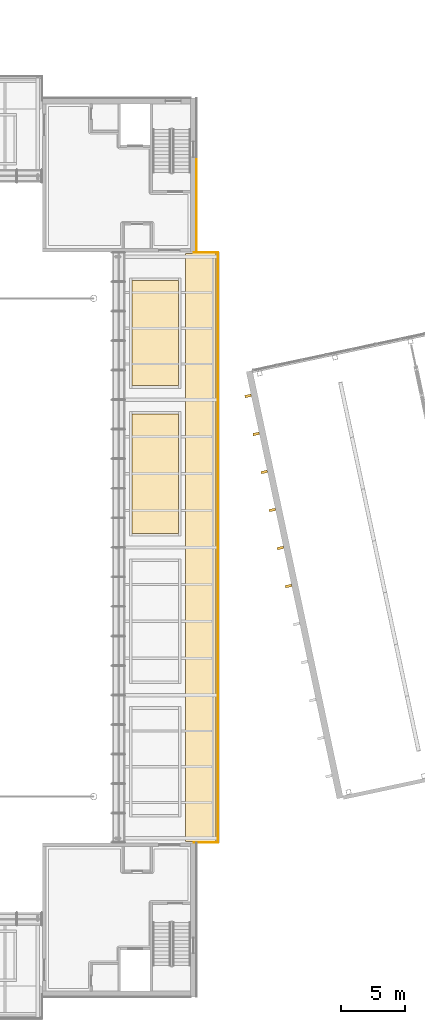
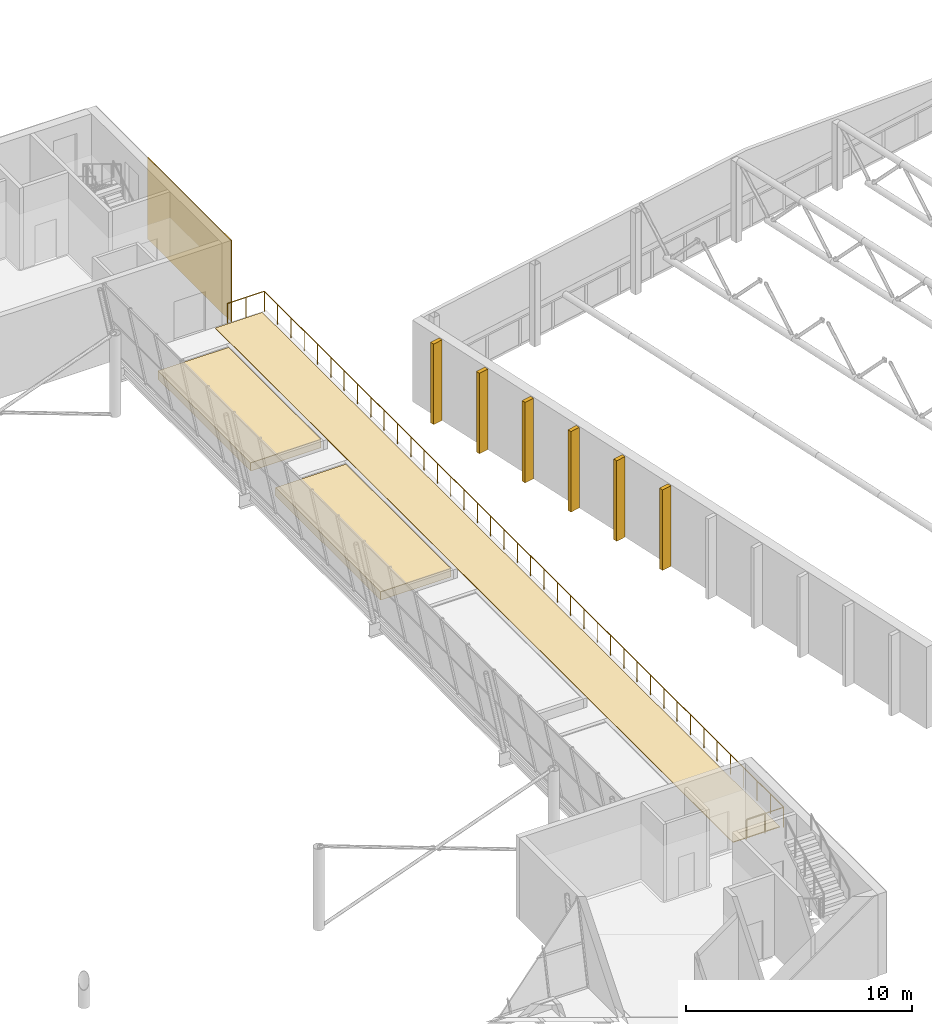
# One storey, part 51 of 58: 6 shading devices, 4 coverings, 1 railing.
"""IFC4 building model written with IfcOpenShell, lengths in metres."""

from ifc_helpers import new_model, si_unit, direction, frame, origin, origin_2d, place, context, subcontext, project, spatial, polyline, circle, outline, extrude, material, layer, layer_set, type_object, element, save


model = new_model("IFC4")

# Units and contexts
model_context = context("Model", 3, precision=1e-05, world=origin(), true_north=direction((0.0, 1.0)))
body_context = subcontext(model_context, "Body", "Model", "MODEL_VIEW")
ifc_project = project(units=[si_unit("LENGTHUNIT", "METRE"), si_unit("AREAUNIT", "SQUARE_METRE"), si_unit("VOLUMEUNIT", "CUBIC_METRE"), si_unit("PLANEANGLEUNIT", "RADIAN"), si_unit("MASSUNIT", "GRAM", prefix="KILO")], contexts=[model_context])

# Site, building, storey
site_placement = place(None, origin())
site = spatial("IfcSite", under=ifc_project, at=site_placement, CompositionType="ELEMENT")
building_placement = place(site_placement, origin())
building = spatial("IfcBuilding", under=site, at=building_placement, Name="Windward Yard Aquatics Centre", CompositionType="ELEMENT")
storey_placement = place(building_placement, frame((0.0, 0.0, 13.800048828125)))
storey = spatial("IfcBuildingStorey", under=building, at=storey_placement, Name="L03", CompositionType="ELEMENT", Elevation=13.800048828125)

# Shading devices
ifc_material_1 = material(Name="Aluminium fin, powder coated", Category="aluminium")
shading_device_type = type_object("IfcShadingDeviceType", Name="D vertical fin 200x500", PredefinedType="USERDEFINED", material=ifc_material_1)
shading_device_1_placement = place(storey_placement, origin())
element("IfcShadingDevice", 1, at=shading_device_1_placement, inside=storey, type_object=shading_device_type, Name="Vertical fin D.W.W.L03.1.6", ObjectType="FIN", PredefinedType="USERDEFINED", context=body_context, shape_type="SweptSolid", body=[
    extrude(outline(polyline([(158.9052734375, 58.04345703125), (158.947021484375, 57.847900390625), (159.43603515625, 57.951904296875), (159.394287109375, 58.1474609375), (158.9052734375, 58.04345703125)])), origin(), (0.0, 0.0, 1.0), 4.349853515625),
])
shading_device_2_placement = place(storey_placement, origin())
element("IfcShadingDevice", 2, at=shading_device_2_placement, inside=storey, type_object=shading_device_type, Name="Vertical fin D.W.W.L03.1.7", ObjectType="FIN", PredefinedType="USERDEFINED", context=body_context, shape_type="SweptSolid", body=[
    extrude(outline(polyline([(158.27587890625, 61.004638671875), (158.3173828125, 60.80908203125), (158.806396484375, 60.9130859375), (158.764892578125, 61.108642578125), (158.27587890625, 61.004638671875)])), origin(), (0.0, 0.0, 1.0), 4.349853515625),
])
shading_device_3_placement = place(storey_placement, origin())
element("IfcShadingDevice", 3, at=shading_device_3_placement, inside=storey, type_object=shading_device_type, Name="Vertical fin D.W.W.L03.1.8", ObjectType="FIN", PredefinedType="USERDEFINED", context=body_context, shape_type="SweptSolid", body=[
    extrude(outline(polyline([(157.646484375, 63.9658203125), (157.68798828125, 63.770263671875), (158.177001953125, 63.8740234375), (158.135498046875, 64.069580078125), (157.646484375, 63.9658203125)])), origin(), (0.0, 0.0, 1.0), 4.349853515625),
])
shading_device_4_placement = place(storey_placement, origin())
element("IfcShadingDevice", 4, at=shading_device_4_placement, inside=storey, type_object=shading_device_type, Name="Vertical fin D.W.W.L03.1.9", ObjectType="FIN", PredefinedType="USERDEFINED", context=body_context, shape_type="SweptSolid", body=[
    extrude(outline(polyline([(157.01708984375, 66.927001953125), (157.05859375, 66.731201171875), (157.547607421875, 66.835205078125), (157.506103515625, 67.031005859375), (157.01708984375, 66.927001953125)])), origin(), (0.0, 0.0, 1.0), 4.349853515625),
])
shading_device_5_placement = place(storey_placement, origin())
element("IfcShadingDevice", 5, at=shading_device_5_placement, inside=storey, type_object=shading_device_type, Name="Vertical fin D.W.W.L03.1.10", ObjectType="FIN", PredefinedType="USERDEFINED", context=body_context, shape_type="SweptSolid", body=[
    extrude(outline(polyline([(156.3876953125, 69.887939453125), (156.42919921875, 69.6923828125), (156.918212890625, 69.79638671875), (156.876708984375, 69.991943359375), (156.3876953125, 69.887939453125)])), origin(), (0.0, 0.0, 1.0), 4.349853515625),
])
shading_device_6_placement = place(storey_placement, origin())
element("IfcShadingDevice", 6, at=shading_device_6_placement, inside=storey, type_object=shading_device_type, Name="Vertical fin D.W.W.L03.1.11", ObjectType="FIN", PredefinedType="USERDEFINED", context=body_context, shape_type="SweptSolid", body=[
    extrude(outline(polyline([(155.75830078125, 72.84912109375), (155.7998046875, 72.653564453125), (156.288818359375, 72.757568359375), (156.247314453125, 72.953125), (155.75830078125, 72.84912109375)])), origin(), (0.0, 0.0, 1.0), 4.349853515625),
])

# Coverings
ifc_material_2 = material(Name="Natural limestone cladding", Category="masonry")
ifc_layer_1 = layer(ifc_material_2, 0.0400390625)
ifc_layer_set_1 = layer_set([ifc_layer_1], Name="H natural stone cladding 40")
covering_type_1 = type_object("IfcCoveringType", Name="H natural stone cladding 40", PredefinedType="CLADDING", material=ifc_layer_set_1)
covering_1_placement = place(storey_placement, origin())
element("IfcCovering", 7, at=covering_1_placement, inside=storey, type_object=covering_type_1, Name="Stone cladding panel 29", PredefinedType="CLADDING", context=body_context, shape_type="SweptSolid", body=[
    extrude(outline(polyline([(152.0, 84.0), (152.0400390625, 84.0), (152.0400390625, 91.39990234375), (152.0, 91.39990234375), (152.0, 84.0)])), origin(), (0.0, 0.0, 1.0), 4.39990234375),
])
ifc_material_3 = material(Name="Planting soil")
ifc_layer_2 = layer(ifc_material_3, 0.398, Name="Planting")
ifc_material_4 = material(Name="Filter fabric")
ifc_layer_3 = layer(ifc_material_4, 0.002, Name="Filter")
ifc_material_5 = material(Name="Drainage board")
ifc_layer_4 = layer(ifc_material_5, 0.05, Name="Drainage")
ifc_layer_set_2 = layer_set([ifc_layer_2, ifc_layer_3, ifc_layer_4], Name="H planting bed 450")
covering_type_2 = type_object("IfcCoveringType", Name="H planting bed 450", PredefinedType="USERDEFINED", material=ifc_layer_set_2)
covering_2_placement = place(storey_placement, origin())
element("IfcCovering", 8, at=covering_2_placement, inside=storey, type_object=covering_type_2, Name="Planting bed T1 E3", ObjectType="PLANTING BED", PredefinedType="USERDEFINED", context=body_context, shape_type="SweptSolid", body=[
    extrude(outline(polyline([(147.0, 62.10009765625), (150.60009765625, 62.10009765625), (150.60009765625, 71.39990234375), (147.0, 71.39990234375), (147.0, 62.10009765625)])), origin(), (0.0, 0.0, 1.0), 0.449951171875),
])
covering_3_placement = place(storey_placement, origin())
element("IfcCovering", 9, at=covering_3_placement, inside=storey, type_object=covering_type_2, Name="Planting bed T1 E4", ObjectType="PLANTING BED", PredefinedType="USERDEFINED", context=body_context, shape_type="SweptSolid", body=[
    extrude(outline(polyline([(147.0, 73.60009765625), (150.60009765625, 73.60009765625), (150.60009765625, 81.800048828125), (147.0, 81.800048828125), (147.0, 73.60009765625)])), origin(), (0.0, 0.0, 1.0), 0.449951171875),
])

# Railing
ifc_material_6 = material(Name="Stainless steel 1.4401 with toughened laminated glass infill", Category="steel")
railing_type = type_object("IfcRailingType", Name="H terrace guard 1100", PredefinedType="GUARDRAIL", material=ifc_material_6)
railing_placement = place(storey_placement, frame((151.800048828125, 38.02099609375, 0.0)))
element("IfcRailing", 10, at=railing_placement, inside=storey, type_object=railing_type, Name="Terrace 1 guard E", PredefinedType="GUARDRAIL", context=body_context, shape_type="SweptSolid", body=[
    extrude(circle(Radius=0.02392578125, at=origin_2d()), frame((0.0, 0.0, 1.076171875), z_axis=(1.0, 0.0, 0.0), x_axis=(0.0, 1.0, 0.0)), (0.0, 0.0, 1.0), 1.889892578125),
    extrude(circle(Radius=0.02392578125, at=origin_2d()), frame((1.889892578125, 0.0, 1.076171875), z_axis=(0.0, 1.0, 0.0), x_axis=(-1.0, 0.0, 0.0)), (0.0, 0.0, 1.0), 45.9580078125),
    extrude(circle(Radius=0.02392578125, at=origin_2d()), frame((1.889892578125, 45.9580078125, 1.076171875), z_axis=(-1.0, 0.0, 0.0), x_axis=(0.0, -1.0, 0.0)), (0.0, 0.0, 1.0), 1.889892578125),
    extrude(circle(Radius=0.02099609375, at=origin_2d()), origin(), (0.0, 0.0, 1.0), 1.052001953125),
    extrude(circle(Radius=0.02099609375, at=origin_2d()), frame((0.94482421875, 0.0, 0.0)), (0.0, 0.0, 1.0), 1.052001953125),
    extrude(circle(Radius=0.02099609375, at=origin_2d()), frame((1.889892578125, 0.0, 0.0)), (0.0, 0.0, 1.0), 1.052001953125),
    extrude(circle(Radius=0.02099609375, at=origin_2d()), frame((1.889892578125, 1.178466796875, 0.0)), (0.0, 0.0, 1.0), 1.052001953125),
    extrude(circle(Radius=0.02099609375, at=origin_2d()), frame((1.889892578125, 2.35693359375, 0.0)), (0.0, 0.0, 1.0), 1.052001953125),
    extrude(circle(Radius=0.02099609375, at=origin_2d()), frame((1.889892578125, 3.53515625, 0.0)), (0.0, 0.0, 1.0), 1.052001953125),
    extrude(circle(Radius=0.02099609375, at=origin_2d()), frame((1.889892578125, 4.713623046875, 0.0)), (0.0, 0.0, 1.0), 1.052001953125),
    extrude(circle(Radius=0.02099609375, at=origin_2d()), frame((1.889892578125, 5.89208984375, 0.0)), (0.0, 0.0, 1.0), 1.052001953125),
    extrude(circle(Radius=0.02099609375, at=origin_2d()), frame((1.889892578125, 7.070556640625, 0.0)), (0.0, 0.0, 1.0), 1.052001953125),
    extrude(circle(Radius=0.02099609375, at=origin_2d()), frame((1.889892578125, 8.248779296875, 0.0)), (0.0, 0.0, 1.0), 1.052001953125),
    extrude(circle(Radius=0.02099609375, at=origin_2d()), frame((1.889892578125, 9.42724609375, 0.0)), (0.0, 0.0, 1.0), 1.052001953125),
    extrude(circle(Radius=0.02099609375, at=origin_2d()), frame((1.889892578125, 10.605712890625, 0.0)), (0.0, 0.0, 1.0), 1.052001953125),
    extrude(circle(Radius=0.02099609375, at=origin_2d()), frame((1.889892578125, 11.7841796875, 0.0)), (0.0, 0.0, 1.0), 1.052001953125),
    extrude(circle(Radius=0.02099609375, at=origin_2d()), frame((1.889892578125, 12.96240234375, 0.0)), (0.0, 0.0, 1.0), 1.052001953125),
    extrude(circle(Radius=0.02099609375, at=origin_2d()), frame((1.889892578125, 14.140869140625, 0.0)), (0.0, 0.0, 1.0), 1.052001953125),
    extrude(circle(Radius=0.02099609375, at=origin_2d()), frame((1.889892578125, 15.3193359375, 0.0)), (0.0, 0.0, 1.0), 1.052001953125),
    extrude(circle(Radius=0.02099609375, at=origin_2d()), frame((1.889892578125, 16.497802734375, 0.0)), (0.0, 0.0, 1.0), 1.052001953125),
    extrude(circle(Radius=0.02099609375, at=origin_2d()), frame((1.889892578125, 17.67626953125, 0.0)), (0.0, 0.0, 1.0), 1.052001953125),
    extrude(circle(Radius=0.02099609375, at=origin_2d()), frame((1.889892578125, 18.8544921875, 0.0)), (0.0, 0.0, 1.0), 1.052001953125),
    extrude(circle(Radius=0.02099609375, at=origin_2d()), frame((1.889892578125, 20.032958984375, 0.0)), (0.0, 0.0, 1.0), 1.052001953125),
    extrude(circle(Radius=0.02099609375, at=origin_2d()), frame((1.889892578125, 21.21142578125, 0.0)), (0.0, 0.0, 1.0), 1.052001953125),
    extrude(circle(Radius=0.02099609375, at=origin_2d()), frame((1.889892578125, 22.389892578125, 0.0)), (0.0, 0.0, 1.0), 1.052001953125),
    extrude(circle(Radius=0.02099609375, at=origin_2d()), frame((1.889892578125, 23.568115234375, 0.0)), (0.0, 0.0, 1.0), 1.052001953125),
    extrude(circle(Radius=0.02099609375, at=origin_2d()), frame((1.889892578125, 24.74658203125, 0.0)), (0.0, 0.0, 1.0), 1.052001953125),
    extrude(circle(Radius=0.02099609375, at=origin_2d()), frame((1.889892578125, 25.925048828125, 0.0)), (0.0, 0.0, 1.0), 1.052001953125),
    extrude(circle(Radius=0.02099609375, at=origin_2d()), frame((1.889892578125, 27.103515625, 0.0)), (0.0, 0.0, 1.0), 1.052001953125),
    extrude(circle(Radius=0.02099609375, at=origin_2d()), frame((1.889892578125, 28.28173828125, 0.0)), (0.0, 0.0, 1.0), 1.052001953125),
    extrude(circle(Radius=0.02099609375, at=origin_2d()), frame((1.889892578125, 29.460205078125, 0.0)), (0.0, 0.0, 1.0), 1.052001953125),
    extrude(circle(Radius=0.02099609375, at=origin_2d()), frame((1.889892578125, 30.638671875, 0.0)), (0.0, 0.0, 1.0), 1.052001953125),
    extrude(circle(Radius=0.02099609375, at=origin_2d()), frame((1.889892578125, 31.817138671875, 0.0)), (0.0, 0.0, 1.0), 1.052001953125),
    extrude(circle(Radius=0.02099609375, at=origin_2d()), frame((1.889892578125, 32.99560546875, 0.0)), (0.0, 0.0, 1.0), 1.052001953125),
    extrude(circle(Radius=0.02099609375, at=origin_2d()), frame((1.889892578125, 34.173828125, 0.0)), (0.0, 0.0, 1.0), 1.052001953125),
    extrude(circle(Radius=0.02099609375, at=origin_2d()), frame((1.889892578125, 35.352294921875, 0.0)), (0.0, 0.0, 1.0), 1.052001953125),
    extrude(circle(Radius=0.02099609375, at=origin_2d()), frame((1.889892578125, 36.53076171875, 0.0)), (0.0, 0.0, 1.0), 1.052001953125),
    extrude(circle(Radius=0.02099609375, at=origin_2d()), frame((1.889892578125, 37.709228515625, 0.0)), (0.0, 0.0, 1.0), 1.052001953125),
    extrude(circle(Radius=0.02099609375, at=origin_2d()), frame((1.889892578125, 38.887451171875, 0.0)), (0.0, 0.0, 1.0), 1.052001953125),
    extrude(circle(Radius=0.02099609375, at=origin_2d()), frame((1.889892578125, 40.06591796875, 0.0)), (0.0, 0.0, 1.0), 1.052001953125),
    extrude(circle(Radius=0.02099609375, at=origin_2d()), frame((1.889892578125, 41.244384765625, 0.0)), (0.0, 0.0, 1.0), 1.052001953125),
    extrude(circle(Radius=0.02099609375, at=origin_2d()), frame((1.889892578125, 42.4228515625, 0.0)), (0.0, 0.0, 1.0), 1.052001953125),
    extrude(circle(Radius=0.02099609375, at=origin_2d()), frame((1.889892578125, 43.60107421875, 0.0)), (0.0, 0.0, 1.0), 1.052001953125),
    extrude(circle(Radius=0.02099609375, at=origin_2d()), frame((1.889892578125, 44.779541015625, 0.0)), (0.0, 0.0, 1.0), 1.052001953125),
    extrude(circle(Radius=0.02099609375, at=origin_2d()), frame((1.889892578125, 45.9580078125, 0.0)), (0.0, 0.0, 1.0), 1.052001953125),
    extrude(circle(Radius=0.02099609375, at=origin_2d()), frame((0.94482421875, 45.9580078125, 0.0)), (0.0, 0.0, 1.0), 1.052001953125),
    extrude(circle(Radius=0.02099609375, at=origin_2d()), frame((0.0, 45.9580078125, 0.0)), (0.0, 0.0, 1.0), 1.052001953125),
])

# Covering
ifc_material_7 = material(Name="Porcelain paving")
ifc_layer_5 = layer(ifc_material_7, 0.02, Name="Paving")
ifc_material_8 = material(Name="Adjustable pedestal support")
ifc_layer_6 = layer(ifc_material_8, 0.02, Name="Pedestal support")
ifc_layer_set_3 = layer_set([ifc_layer_5, ifc_layer_6], Name="H terrace paving porcelain 40")
covering_type_3 = type_object("IfcCoveringType", Name="H terrace paving porcelain 40", PredefinedType="FLOORING", material=ifc_layer_set_3)
covering_4_placement = place(storey_placement, origin())
element("IfcCovering", 11, at=covering_4_placement, inside=storey, type_object=covering_type_3, Name="Terrace 1 walkway E", PredefinedType="FLOORING", context=body_context, shape_type="SweptSolid", body=[
    extrude(outline(polyline([(151.139892578125, 38.10009765625), (153.5400390625, 38.10009765625), (153.5400390625, 83.89990234375), (151.139892578125, 83.89990234375), (151.139892578125, 38.10009765625)])), origin(), (0.0, 0.0, 1.0), 0.0400390625),
])

save(model, "model.ifc")
